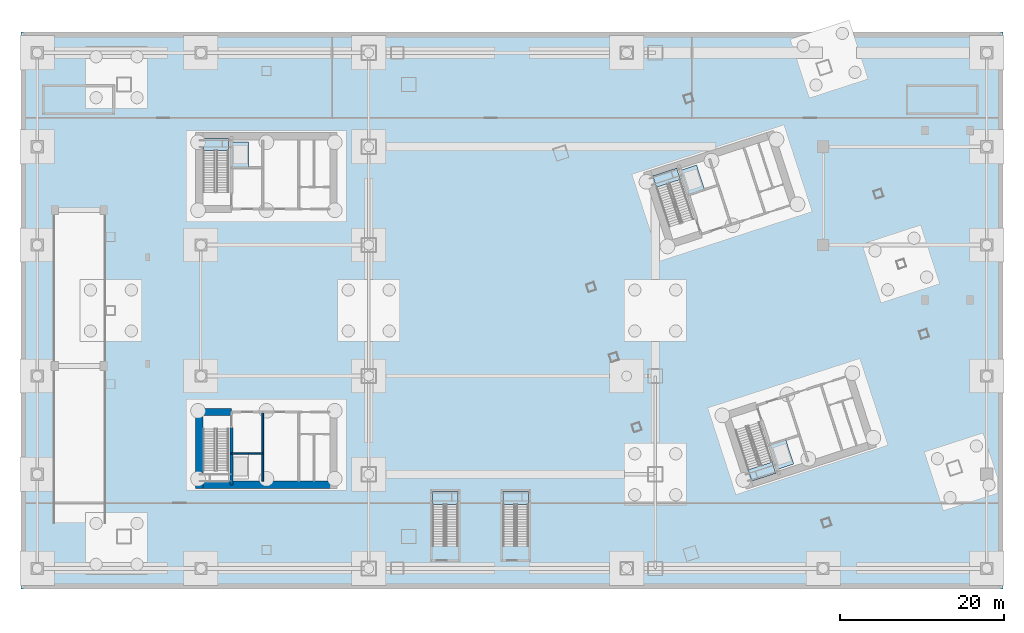
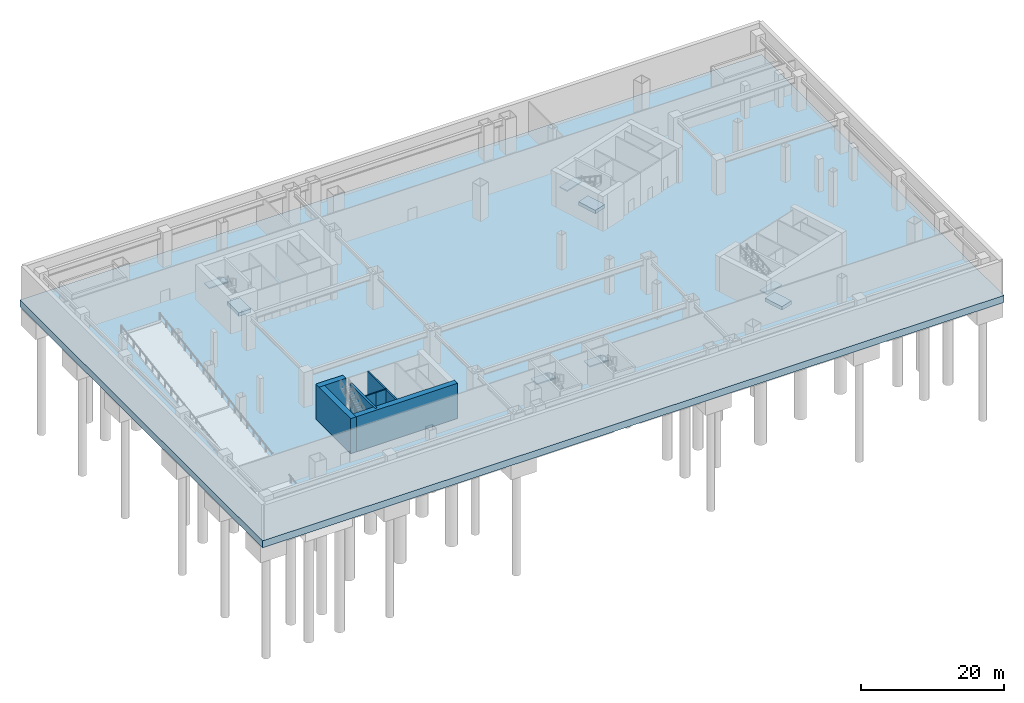
# One storey, part 5 of 20: 9 slabs, 7 walls, 5 elements without a shape of their own.
"""IFC4 building model written with IfcOpenShell, lengths in metres."""

from ifc_helpers import new_model, si_unit, direction, frame, frame_2d, origin, place, context, subcontext, project, spatial, polyline, rectangle, outline, extrude, material, layer, layer_set, type_object, element, aggregate, save


model = new_model("IFC4")

# Units and contexts
model_context = context("Model", 3, precision=1e-05, world=origin(), true_north=direction((0.0, 1.0)))
body_context = subcontext(model_context, "Body", "Model", "MODEL_VIEW")
ifc_project = project(units=[si_unit("LENGTHUNIT", "METRE"), si_unit("AREAUNIT", "SQUARE_METRE"), si_unit("VOLUMEUNIT", "CUBIC_METRE"), si_unit("PLANEANGLEUNIT", "RADIAN"), si_unit("MASSUNIT", "GRAM", prefix="KILO")], contexts=[model_context])

# Site, building, storey
site_placement = place(None, origin())
site = spatial("IfcSite", under=ifc_project, at=site_placement, CompositionType="ELEMENT")
building_placement = place(site_placement, origin())
building = spatial("IfcBuilding", under=site, at=building_placement, Name="Qiaolan Cultural Towers", CompositionType="ELEMENT")
storey_placement = place(building_placement, frame((0.0, 0.0, -12.0)))
storey = spatial("IfcBuildingStorey", under=building, at=storey_placement, Name="B2", CompositionType="ELEMENT", Elevation=-12.0)

# Slabs
ifc_material_1 = material(Name="Concrete C45", Category="concrete")
ifc_layer_1 = layer(ifc_material_1, 1.199951171875)
ifc_layer_set_1 = layer_set([ifc_layer_1], Name="Concrete C45")
slab_type_1 = type_object("IfcSlabType", Name="SL-MAT-1200", PredefinedType="BASESLAB", material=ifc_layer_set_1)
slab_1_placement = place(storey_placement, frame((0.0, 0.0, -1.199951171875)))
element("IfcSlab", 1, at=slab_1_placement, inside=storey, type_object=slab_type_1, Name="B2 Structural Floor Slab", PredefinedType="BASESLAB", context=body_context, shape_type="SweptSolid", body=[
    extrude(outline(polyline([(0.0, 0.0), (120.0, 0.0), (120.0, 68.0), (0.0, 68.0), (0.0, 0.0)])), origin(), (0.0, 0.0, 1.0), 1.199951171875),
])
ifc_material_2 = material(Name="Concrete C45", Category="concrete")
ifc_layer_2 = layer(ifc_material_2, 0.60009765625)
ifc_layer_set_2 = layer_set([ifc_layer_2], Name="Concrete C45")
slab_type_2 = type_object("IfcSlabType", Name="SL-PIT-600", PredefinedType="BASESLAB", material=ifc_layer_set_2)
slab_2_placement = place(storey_placement, frame((0.0, 0.0, -1.800048828125)))
element("IfcSlab", 2, at=slab_2_placement, inside=storey, type_object=slab_type_2, Name="Firefighting Lift Pit Base Pad FFL-W2", PredefinedType="BASESLAB", context=body_context, shape_type="SweptSolid", body=[
    extrude(outline(polyline([(25.800048828125, 51.39990234375), (27.800048828125, 51.39990234375), (27.800048828125, 54.60009765625), (25.800048828125, 54.60009765625), (25.800048828125, 51.39990234375)])), origin(), (0.0, 0.0, 1.0), 0.60009765625),
])
slab_3_placement = place(storey_placement, frame((0.0, 0.0, -1.800048828125)))
element("IfcSlab", 3, at=slab_3_placement, inside=storey, type_object=slab_type_2, Name="Firefighting Lift Pit Base Pad FFL-E1", PredefinedType="BASESLAB", context=body_context, shape_type="SweptSolid", body=[
    extrude(outline(polyline([(92.50927734375, 14.627197265625), (94.411376953125, 15.245361328125), (93.422607421875, 18.28857421875), (91.5205078125, 17.670654296875), (92.50927734375, 14.627197265625)])), origin(), (0.0, 0.0, 1.0), 0.60009765625),
])
slab_4_placement = place(storey_placement, frame((0.0, 0.0, -1.800048828125)))
element("IfcSlab", 4, at=slab_4_placement, inside=storey, type_object=slab_type_2, Name="Firefighting Lift Pit Base Pad FFL-E2", PredefinedType="BASESLAB", context=body_context, shape_type="SweptSolid", body=[
    extrude(outline(polyline([(81.6318359375, 48.1044921875), (83.533935546875, 48.722412109375), (82.545166015625, 51.765869140625), (80.64306640625, 51.147705078125), (81.6318359375, 48.1044921875)])), origin(), (0.0, 0.0, 1.0), 0.60009765625),
])

# Stair, slab
ifc_material_3 = material(Name="Concrete C45", Category="concrete")
stair_type_1 = type_object("IfcStairType", Name="STR-CORE-1500", PredefinedType="HALF_TURN_STAIR", material=ifc_material_3)
stair_1_placement = place(storey_placement, origin())
stair_1 = element("IfcStair", 5, at=stair_1_placement, inside=storey, type_object=stair_type_1, Name="B2 Smokeproof Exit Stair ST-W2", PredefinedType="HALF_TURN_STAIR")
ifc_material_4 = material(Name="Concrete C45", Category="concrete")
ifc_layer_3 = layer(ifc_material_4, 0.199951171875)
ifc_layer_set_3 = layer_set([ifc_layer_3], Name="Concrete C45")
slab_type_3 = type_object("IfcSlabType", Name="SL-STAIR-LAND", PredefinedType="LANDING", material=ifc_layer_set_3)
slab_5_placement = place(storey_placement, frame((0.0, 0.0, 2.800048828125)))
slab_5 = element("IfcSlab", 6, at=slab_5_placement, type_object=slab_type_3, Name="ST-W2 landing 1", PredefinedType="LANDING", context=body_context, shape_type="SweptSolid", body=[
    extrude(outline(polyline([(25.3798828125, 53.548583984375), (25.3798828125, 55.0), (22.300048828125, 55.0), (22.300048828125, 53.548583984375), (25.3798828125, 53.548583984375)])), origin(), (0.0, 0.0, 1.0), 0.199951171875),
])
aggregate(stair_1, [slab_5])

stair_2_placement = place(storey_placement, origin())
stair_2 = element("IfcStair", 7, at=stair_2_placement, inside=storey, type_object=stair_type_1, Name="B2 Smokeproof Exit Stair ST-E1", PredefinedType="HALF_TURN_STAIR")
slab_6_placement = place(storey_placement, frame((0.0, 0.0, 2.800048828125)))
slab_6 = element("IfcSlab", 8, at=slab_6_placement, type_object=slab_type_3, Name="ST-E1 landing 1", PredefinedType="LANDING", context=body_context, shape_type="SweptSolid", body=[
    extrude(outline(polyline([(88.855712890625, 14.545654296875), (89.30419921875, 13.165283203125), (92.2333984375, 14.116943359375), (91.784912109375, 15.497314453125), (88.855712890625, 14.545654296875)])), origin(), (0.0, 0.0, 1.0), 0.199951171875),
])
aggregate(stair_2, [slab_6])

stair_3_placement = place(storey_placement, origin())
stair_3 = element("IfcStair", 9, at=stair_3_placement, inside=storey, type_object=stair_type_1, Name="B2 Smokeproof Exit Stair ST-E2", PredefinedType="HALF_TURN_STAIR")
slab_7_placement = place(storey_placement, frame((0.0, 0.0, 2.800048828125)))
slab_7 = element("IfcSlab", 10, at=slab_7_placement, type_object=slab_type_3, Name="ST-E2 landing 1", PredefinedType="LANDING", context=body_context, shape_type="SweptSolid", body=[
    extrude(outline(polyline([(80.568603515625, 50.018310546875), (80.1201171875, 51.3984375), (77.190673828125, 50.44677734375), (77.63916015625, 49.06640625), (80.568603515625, 50.018310546875)])), origin(), (0.0, 0.0, 1.0), 0.199951171875),
])
aggregate(stair_3, [slab_7])

ifc_material_5 = material(Name="Concrete C45", Category="concrete")
stair_type_2 = type_object("IfcStairType", Name="STR-MET-1800", PredefinedType="HALF_TURN_STAIR", material=ifc_material_5)
stair_4_placement = place(storey_placement, origin())
stair_4 = element("IfcStair", 11, at=stair_4_placement, inside=storey, type_object=stair_type_2, Name="B2 Metro Concourse West Exit Stair ST-M1", PredefinedType="HALF_TURN_STAIR")
slab_8_placement = place(storey_placement, frame((0.0, 0.0, 2.800048828125)))
slab_8 = element("IfcSlab", 12, at=slab_8_placement, type_object=slab_type_3, Name="ST-M1 landing 1", PredefinedType="LANDING", context=body_context, shape_type="SweptSolid", body=[
    extrude(outline(polyline([(53.39990234375, 10.298583984375), (53.39990234375, 11.89990234375), (50.300048828125, 11.89990234375), (50.300048828125, 10.298583984375), (53.39990234375, 10.298583984375)])), origin(), (0.0, 0.0, 1.0), 0.199951171875),
])
aggregate(stair_4, [slab_8])

stair_5_placement = place(storey_placement, origin())
stair_5 = element("IfcStair", 13, at=stair_5_placement, inside=storey, type_object=stair_type_2, Name="B2 Metro Concourse East Exit Stair ST-M2", PredefinedType="HALF_TURN_STAIR")
slab_9_placement = place(storey_placement, frame((0.0, 0.0, 2.800048828125)))
slab_9 = element("IfcSlab", 14, at=slab_9_placement, type_object=slab_type_3, Name="ST-M2 landing 1", PredefinedType="LANDING", context=body_context, shape_type="SweptSolid", body=[
    extrude(outline(polyline([(62.0, 10.298583984375), (62.0, 11.89990234375), (58.89990234375, 11.89990234375), (58.89990234375, 10.298583984375), (62.0, 10.298583984375)])), origin(), (0.0, 0.0, 1.0), 0.199951171875),
])
aggregate(stair_5, [slab_9])

# Walls
ifc_material_6 = material(Name="Concrete C50", Category="concrete")
ifc_layer_4 = layer(ifc_material_6, 0.35009765625)
ifc_layer_set_4 = layer_set([ifc_layer_4], Name="Concrete C50")
wall_type_1 = type_object("IfcWallType", Name="WL-CORE-350", PredefinedType="SHEAR", material=ifc_layer_set_4)
wall_1_placement = place(storey_placement, frame((25.719970703125, 19.699951171875, 0.0), z_axis=(0.0, 0.0, 1.0), x_axis=(0.0, -1.0, 0.0)))
element("IfcWall", 15, at=wall_1_placement, inside=storey, type_object=wall_type_1, Name="B2 T1-CS Stair Core Dividing Web", PredefinedType="SHEAR", context=body_context, shape_type="SweptSolid", body=[
    extrude(rectangle(XDim=6.97998046875, YDim=0.35009765625, at=frame_2d((3.489990234375, 0.0))), origin(), (0.0, 0.0, 1.0), 6.0),
])
ifc_material_7 = material(Name="Concrete C60", Category="concrete")
ifc_layer_5 = layer(ifc_material_7, 0.89990234375)
ifc_layer_set_5 = layer_set([ifc_layer_5], Name="Concrete C60")
wall_type_2 = type_object("IfcWallType", Name="WL-CORE-900", PredefinedType="SHEAR", material=ifc_layer_set_5)
wall_2_placement = place(storey_placement, frame((21.35009765625, 12.719970703125, 0.0), z_axis=(0.0, 0.0, 1.0), x_axis=(1.0, 0.0, 0.0)))
element("IfcWall", 16, at=wall_2_placement, inside=storey, type_object=wall_type_2, Name="B2 T1-CS Outer Core Shear Wall", PredefinedType="SHEAR", context=body_context, shape_type="SweptSolid", body=[
    extrude(rectangle(XDim=17.2998046875, YDim=0.89990234375, at=frame_2d((8.64990234375, 0.0))), origin(), (0.0, 0.0, 1.0), 6.0),
])
wall_3_placement = place(storey_placement, frame((21.800048828125, 22.050048828125, 0.0), z_axis=(0.0, 0.0, 1.0), x_axis=(0.0, -1.0, 0.0)))
element("IfcWall", 17, at=wall_3_placement, inside=storey, type_object=wall_type_2, Name="B2 T1-CS West Core Shear Wall", PredefinedType="SHEAR", context=body_context, shape_type="SweptSolid", body=[
    extrude(rectangle(XDim=9.780029296875, YDim=0.89990234375, at=frame_2d((4.89013671875, 0.0))), origin(), (0.0, 0.0, 1.0), 6.0),
])
wall_4_placement = place(storey_placement, frame((21.35009765625, 21.60009765625, 0.0), z_axis=(0.0, 0.0, 1.0), x_axis=(1.0, 0.0, 0.0)))
element("IfcWall", 18, at=wall_4_placement, inside=storey, type_object=wall_type_2, Name="B2 T1-CS Stair Front Shear Wall", PredefinedType="SHEAR", context=body_context, shape_type="SweptSolid", body=[
    extrude(rectangle(XDim=4.369873046875, YDim=0.89990234375, at=frame_2d((2.18505859375, 0.0))), origin(), (0.0, 0.0, 1.0), 6.0),
])
ifc_material_8 = material(Name="Concrete C35 Fire Wall", Category="concrete")
ifc_layer_6 = layer(ifc_material_8, 0.199951171875)
ifc_layer_set_6 = layer_set([ifc_layer_6], Name="Concrete C35 Fire Wall")
wall_type_3 = type_object("IfcWallType", Name="WL-FIRE-200", PredefinedType="PARTITIONING", material=ifc_layer_set_6)
wall_5_placement = place(storey_placement, frame((29.550048828125, 21.60009765625, 0.0), z_axis=(0.0, 0.0, 1.0), x_axis=(0.0, -1.0, 0.0)))
element("IfcWall", 19, at=wall_5_placement, inside=storey, type_object=wall_type_3, Name="B2 T1-CS Firefighting Zone Wall", PredefinedType="PARTITIONING", context=body_context, shape_type="SweptSolid", body=[
    extrude(rectangle(XDim=8.43017578125, YDim=0.199951171875, at=frame_2d((4.215087890625, 0.0))), origin(), (0.0, 0.0, 1.0), 5.635009765625),
])
wall_6_placement = place(storey_placement, frame((25.719970703125, 16.550048828125, 0.0), z_axis=(0.0, 0.0, 1.0), x_axis=(1.0, 0.0, 0.0)))
element("IfcWall", 20, at=wall_6_placement, inside=storey, type_object=wall_type_3, Name="B2 T1-CS Firefighting Shaft Front Wall", PredefinedType="PARTITIONING", context=body_context, shape_type="SweptSolid", body=[
    extrude(rectangle(XDim=2.10009765625, YDim=0.199951171875, at=frame_2d((1.050048828125, 0.0))), origin(), (0.0, 0.0, 1.0), 5.635009765625),
])
wall_7_placement = place(storey_placement, frame((27.820068359375, 16.550048828125, 0.0), z_axis=(0.0, 0.0, 1.0), x_axis=(1.0, 0.0, 0.0)))
element("IfcWall", 21, at=wall_7_placement, inside=storey, type_object=wall_type_3, Name="B2 T1-CS Firefighting Pit Wall", PredefinedType="PARTITIONING", context=body_context, shape_type="SweptSolid", body=[
    extrude(rectangle(XDim=1.72998046875, YDim=0.199951171875, at=frame_2d((0.864990234375, 0.0))), origin(), (0.0, 0.0, 1.0), 5.635009765625),
])

save(model, "model.ifc")
